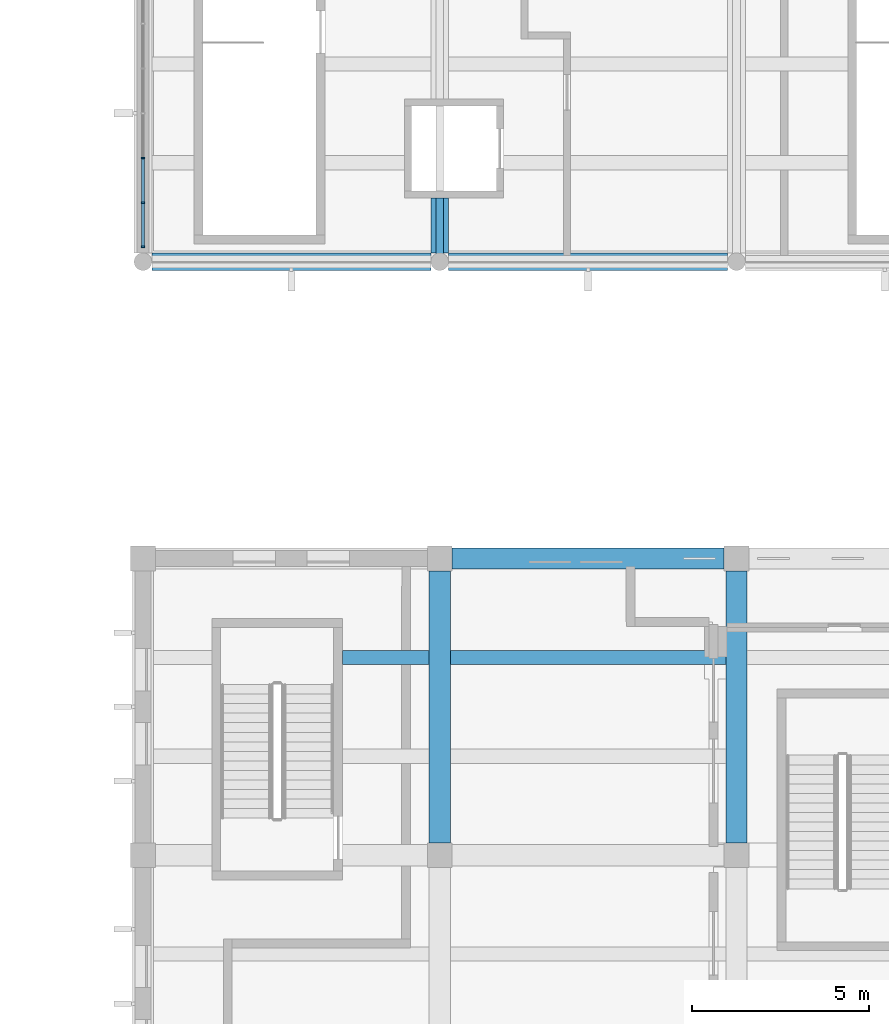
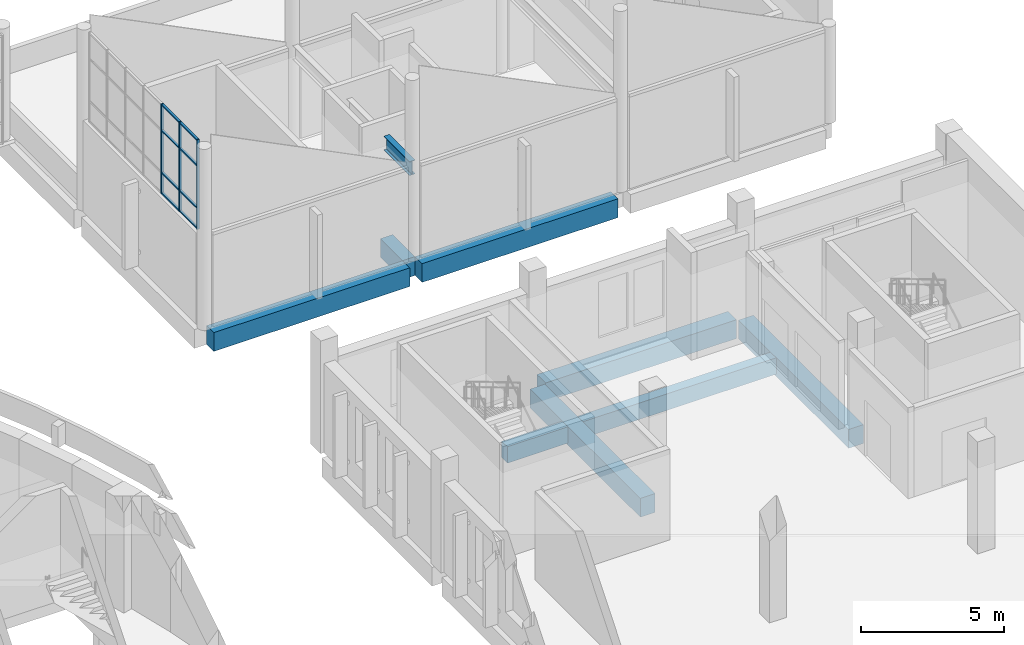
# One storey, part 32 of 119: 11 members, 9 beams, 1 element without a shape of its own.
"""IFC4 building model written with IfcOpenShell, lengths in metres."""

from ifc_helpers import new_model, si_unit, direction, frame, origin, origin_2d, place, context, subcontext, project, spatial, rectangle, i_section, extrude, material, layer, layer_set, material_profile, profile_set, type_object, element, aggregate, save


model = new_model("IFC4")

# Units and contexts
model_context = context("Model", 3, precision=1e-05, world=origin(), true_north=direction((0.0, 1.0)))
body_context = subcontext(model_context, "Body", "Model", "MODEL_VIEW")
ifc_project = project(units=[si_unit("LENGTHUNIT", "METRE"), si_unit("AREAUNIT", "SQUARE_METRE"), si_unit("VOLUMEUNIT", "CUBIC_METRE"), si_unit("PLANEANGLEUNIT", "RADIAN"), si_unit("MASSUNIT", "GRAM", prefix="KILO")], contexts=[model_context])

# Site, building, storey
site_placement = place(None, origin())
site = spatial("IfcSite", under=ifc_project, at=site_placement, CompositionType="ELEMENT")
building_placement = place(site_placement, origin())
building = spatial("IfcBuilding", under=site, at=building_placement, Name="Larchfold Concert Hall", CompositionType="ELEMENT")
storey_placement = place(building_placement, frame((0.0, 0.0, 4.800048828125)))
storey = spatial("IfcBuildingStorey", under=building, at=storey_placement, Name="L01", CompositionType="ELEMENT", Elevation=4.800048828125)

# Curtain wall, members
ifc_material_1 = material(Name="Anodised graphite aluminium curtain wall", Category="aluminium")
ifc_layer = layer(ifc_material_1, 0.10009765625)
ifc_layer_set = layer_set([ifc_layer], Name="Anodised graphite aluminium curtain wall")
curtain_wall_type = type_object("IfcCurtainWallType", Name="Curtain wall GL", PredefinedType="NOTDEFINED", material=ifc_layer_set)
curtain_wall_placement = place(storey_placement, origin())
curtain_wall = element("IfcCurtainWall", 1, at=curtain_wall_placement, inside=storey, type_object=curtain_wall_type, Name="Curtain wall CW8001", PredefinedType="NOTDEFINED")
ifc_material_2 = material(Name="Anodised graphite aluminium mullion", Category="aluminium")
ifc_material_profile_1 = material_profile(ifc_material_2, rectangle(XDim=0.10009765625, YDim=0.050048828125, at=origin_2d()))
ifc_profile_set_1 = profile_set([ifc_material_profile_1], Name="Anodised graphite aluminium mullion")
member_type_1 = type_object("IfcMemberType", Name="Aluminium mullion 50x100", PredefinedType="MULLION", material=ifc_profile_set_1)
member_1_placement = place(storey_placement, frame((76.199951171875, 110.224853515625, 3.89990234375), z_axis=(0.0, 0.0, 1.0), x_axis=(-1.0, 0.0, 0.0)))
member_1 = element("IfcMember", 2, at=member_1_placement, type_object=member_type_1, Name="CW8001 mullion 1", PredefinedType="MULLION", context=body_context, shape_type="SweptSolid", body=[
    extrude(rectangle(XDim=0.10009765625, YDim=0.050048828125, at=origin_2d()), origin(), (0.0, 0.0, 1.0), 3.823974609375),
])
member_2_placement = place(storey_placement, frame((76.199951171875, 111.466552734375, 3.89990234375), z_axis=(0.0, 0.0, 1.0), x_axis=(-1.0, 0.0, 0.0)))
member_2 = element("IfcMember", 3, at=member_2_placement, type_object=member_type_1, Name="CW8001 mullion 2", PredefinedType="MULLION", context=body_context, shape_type="SweptSolid", body=[
    extrude(rectangle(XDim=0.10009765625, YDim=0.050048828125, at=origin_2d()), origin(), (0.0, 0.0, 1.0), 3.823974609375),
])
member_3_placement = place(storey_placement, frame((76.199951171875, 112.7333984375, 3.89990234375), z_axis=(0.0, 0.0, 1.0), x_axis=(-1.0, 0.0, 0.0)))
member_3 = element("IfcMember", 4, at=member_3_placement, type_object=member_type_1, Name="CW8001 mullion 3", PredefinedType="MULLION", context=body_context, shape_type="SweptSolid", body=[
    extrude(rectangle(XDim=0.10009765625, YDim=0.050048828125, at=origin_2d()), origin(), (0.0, 0.0, 1.0), 3.823974609375),
])
ifc_material_3 = material(Name="Anodised graphite aluminium transom", Category="aluminium")
ifc_material_profile_2 = material_profile(ifc_material_3, rectangle(XDim=0.090087890625, YDim=0.06005859375, at=origin_2d()))
ifc_profile_set_2 = profile_set([ifc_material_profile_2], Name="Anodised graphite aluminium transom")
member_type_2 = type_object("IfcMemberType", Name="Aluminium transom 60x90", PredefinedType="USERDEFINED", material=ifc_profile_set_2)
member_4_placement = place(storey_placement, frame((76.199951171875, 110.25, 3.929931640625), z_axis=(0.0, 1.0, 0.0), x_axis=(-1.0, 0.0, 0.0)))
member_4 = element("IfcMember", 5, at=member_4_placement, type_object=member_type_2, Name="CW8001 transom 1.1", ObjectType="TRANSOM", PredefinedType="USERDEFINED", context=body_context, shape_type="SweptSolid", body=[
    extrude(rectangle(XDim=0.090087890625, YDim=0.06005859375, at=origin_2d()), origin(), (0.0, 0.0, 1.0), 1.191650390625),
])
member_5_placement = place(storey_placement, frame((76.199951171875, 110.25, 4.800048828125), z_axis=(0.0, 1.0, 0.0), x_axis=(-1.0, 0.0, 0.0)))
member_5 = element("IfcMember", 6, at=member_5_placement, type_object=member_type_2, Name="CW8001 transom 1.2", ObjectType="TRANSOM", PredefinedType="USERDEFINED", context=body_context, shape_type="SweptSolid", body=[
    extrude(rectangle(XDim=0.090087890625, YDim=0.06005859375, at=origin_2d()), origin(), (0.0, 0.0, 1.0), 1.191650390625),
])
member_6_placement = place(storey_placement, frame((76.199951171875, 110.25, 6.599853515625), z_axis=(0.0, 1.0, 0.0), x_axis=(-1.0, 0.0, 0.0)))
member_6 = element("IfcMember", 7, at=member_6_placement, type_object=member_type_2, Name="CW8001 transom 1.3", ObjectType="TRANSOM", PredefinedType="USERDEFINED", context=body_context, shape_type="SweptSolid", body=[
    extrude(rectangle(XDim=0.090087890625, YDim=0.06005859375, at=origin_2d()), origin(), (0.0, 0.0, 1.0), 1.191650390625),
])
member_7_placement = place(storey_placement, frame((76.199951171875, 110.25, 7.69384765625), z_axis=(0.0, 1.0, 0.0), x_axis=(-1.0, 0.0, 0.0)))
member_7 = element("IfcMember", 8, at=member_7_placement, type_object=member_type_2, Name="CW8001 transom 1.4", ObjectType="TRANSOM", PredefinedType="USERDEFINED", context=body_context, shape_type="SweptSolid", body=[
    extrude(rectangle(XDim=0.090087890625, YDim=0.06005859375, at=origin_2d()), origin(), (0.0, 0.0, 1.0), 1.191650390625),
])
member_8_placement = place(storey_placement, frame((76.199951171875, 111.49169921875, 3.929931640625), z_axis=(0.0, 1.0, 0.0), x_axis=(-1.0, 0.0, 0.0)))
member_8 = element("IfcMember", 9, at=member_8_placement, type_object=member_type_2, Name="CW8001 transom 2.1", ObjectType="TRANSOM", PredefinedType="USERDEFINED", context=body_context, shape_type="SweptSolid", body=[
    extrude(rectangle(XDim=0.090087890625, YDim=0.06005859375, at=origin_2d()), origin(), (0.0, 0.0, 1.0), 1.216552734375),
])
member_9_placement = place(storey_placement, frame((76.199951171875, 111.49169921875, 4.800048828125), z_axis=(0.0, 1.0, 0.0), x_axis=(-1.0, 0.0, 0.0)))
member_9 = element("IfcMember", 10, at=member_9_placement, type_object=member_type_2, Name="CW8001 transom 2.2", ObjectType="TRANSOM", PredefinedType="USERDEFINED", context=body_context, shape_type="SweptSolid", body=[
    extrude(rectangle(XDim=0.090087890625, YDim=0.06005859375, at=origin_2d()), origin(), (0.0, 0.0, 1.0), 1.216552734375),
])
member_10_placement = place(storey_placement, frame((76.199951171875, 111.49169921875, 6.599853515625), z_axis=(0.0, 1.0, 0.0), x_axis=(-1.0, 0.0, 0.0)))
member_10 = element("IfcMember", 11, at=member_10_placement, type_object=member_type_2, Name="CW8001 transom 2.3", ObjectType="TRANSOM", PredefinedType="USERDEFINED", context=body_context, shape_type="SweptSolid", body=[
    extrude(rectangle(XDim=0.090087890625, YDim=0.06005859375, at=origin_2d()), origin(), (0.0, 0.0, 1.0), 1.216552734375),
])
member_11_placement = place(storey_placement, frame((76.199951171875, 111.49169921875, 7.69384765625), z_axis=(0.0, 1.0, 0.0), x_axis=(-1.0, 0.0, 0.0)))
member_11 = element("IfcMember", 12, at=member_11_placement, type_object=member_type_2, Name="CW8001 transom 2.4", ObjectType="TRANSOM", PredefinedType="USERDEFINED", context=body_context, shape_type="SweptSolid", body=[
    extrude(rectangle(XDim=0.090087890625, YDim=0.06005859375, at=origin_2d()), origin(), (0.0, 0.0, 1.0), 1.216552734375),
])
aggregate(curtain_wall, [member_1, member_2, member_3, member_4, member_5, member_6, member_7, member_8, member_9, member_10, member_11])

# Beams
ifc_material_4 = material(Name="Concrete C35/45", Category="concrete")
ifc_material_profile_3 = material_profile(ifc_material_4, rectangle(XDim=0.39990234375, YDim=0.699951171875, at=origin_2d()))
ifc_profile_set_3 = profile_set([ifc_material_profile_3], Name="Concrete C35/45")
beam_type_1 = type_object("IfcBeamType", Name="Beam RC 400x700", PredefinedType="BEAM", material=ifc_profile_set_3)
beam_1_placement = place(storey_placement, frame((81.85009765625, 98.60009765625, -0.550048828125), z_axis=(1.0, 0.0, 0.0), x_axis=(0.0, 1.0, 0.0)))
element("IfcBeam", 13, at=beam_1_placement, inside=storey, type_object=beam_type_1, Name="Beam B0959", PredefinedType="BEAM", context=body_context, shape_type="SweptSolid", body=[
    extrude(rectangle(XDim=0.39990234375, YDim=0.699951171875, at=origin_2d()), origin(), (0.0, 0.0, 1.0), 2.449951171875),
])
beam_2_placement = place(storey_placement, frame((84.89990234375, 98.60009765625, -0.550048828125), z_axis=(1.0, 0.0, 0.0), x_axis=(0.0, 1.0, 0.0)))
element("IfcBeam", 14, at=beam_2_placement, inside=storey, type_object=beam_type_1, Name="Beam B0960", PredefinedType="BEAM", context=body_context, shape_type="SweptSolid", body=[
    extrude(rectangle(XDim=0.39990234375, YDim=0.699951171875, at=origin_2d()), origin(), (0.0, 0.0, 1.0), 7.800048828125),
])
ifc_material_5 = material(Name="Concrete C35/45", Category="concrete")
ifc_material_profile_4 = material_profile(ifc_material_5, rectangle(XDim=0.5, YDim=0.800048828125, at=origin_2d()))
ifc_profile_set_4 = profile_set([ifc_material_profile_4], Name="Concrete C35/45")
beam_type_2 = type_object("IfcBeamType", Name="Beam RC 500x800", PredefinedType="BEAM", material=ifc_profile_set_4)
beam_3_placement = place(storey_placement, frame((84.60009765625, 110.048828125, -0.60009765625), z_axis=(0.0, 1.0, 0.0), x_axis=(-1.0, 0.0, 0.0)))
element("IfcBeam", 15, at=beam_3_placement, inside=storey, type_object=beam_type_2, Name="Beam B1074", PredefinedType="BEAM", context=body_context, shape_type="SweptSolid", body=[
    extrude(rectangle(XDim=0.5, YDim=0.800048828125, at=origin_2d()), origin(), (0.0, 0.0, 1.0), 1.55126953125),
])
for number, where, z_axis, x_axis, name in (
    (16, (76.448974609375, 109.800048828125, -0.60009765625), (1.0, 0.0, 0.0), (0.0, 1.0, 0.0), "Beam B1081"),
    (17, (84.848876953125, 109.800048828125, -0.60009765625), (1.0, 0.0, 0.0), (0.0, 1.0, 0.0), "Beam B1082"),
):
    element("IfcBeam", number, at=place(storey_placement, frame(where, z_axis=z_axis, x_axis=x_axis)), inside=storey, type_object=beam_type_2, Name=name, PredefinedType="BEAM", context=body_context, shape_type="SweptSolid", body=[
        extrude(rectangle(XDim=0.5, YDim=0.800048828125, at=origin_2d()), origin(), (0.0, 0.0, 1.0), 7.902099609375),
    ])
ifc_material_6 = material(Name="Concrete C35/45", Category="concrete")
ifc_material_profile_5 = material_profile(ifc_material_6, rectangle(XDim=0.60009765625, YDim=0.800048828125, at=origin_2d()))
ifc_profile_set_5 = profile_set([ifc_material_profile_5], Name="Concrete C35/45")
beam_type_3 = type_object("IfcBeamType", Name="Beam RC 600x800", PredefinedType="BEAM", material=ifc_profile_set_5)
for number, where, z_axis, x_axis, name in (
    (18, (84.60009765625, 93.35009765625, -0.60009765625), (0.0, 1.0, 0.0), (-1.0, 0.0, 0.0), "Beam B0910"),
    (19, (93.0, 93.35009765625, -0.60009765625), (0.0, 1.0, 0.0), (-1.0, 0.0, 0.0), "Beam B0913"),
    (20, (84.949951171875, 101.39990234375, -0.60009765625), (1.0, 0.0, 0.0), (0.0, 1.0, 0.0), "Beam B0932"),
):
    element("IfcBeam", number, at=place(storey_placement, frame(where, z_axis=z_axis, x_axis=x_axis)), inside=storey, type_object=beam_type_3, Name=name, PredefinedType="BEAM", context=body_context, shape_type="SweptSolid", body=[
        extrude(rectangle(XDim=0.60009765625, YDim=0.800048828125, at=origin_2d()), origin(), (0.0, 0.0, 1.0), 7.699951171875),
    ])
ifc_material_7 = material(Name="Steel S355", Category="steel")
ifc_material_profile_6 = material_profile(ifc_material_7, i_section(OverallWidth=0.219970703125, OverallDepth=0.60009765625, WebThickness=0.011962890625, FlangeThickness=0.01904296875, FilletRadius=0.02392578125, at=origin_2d()))
ifc_profile_set_6 = profile_set([ifc_material_profile_6], Name="Steel S355")
beam_type_4 = type_object("IfcBeamType", Name="Steel beam IPE 600", PredefinedType="BEAM", material=ifc_profile_set_6)
beam_4_placement = place(storey_placement, frame((84.60009765625, 109.800048828125, 3.823974609375), z_axis=(0.0, 1.0, 0.0), x_axis=(-1.0, 0.0, 0.0)))
element("IfcBeam", 21, at=beam_4_placement, inside=storey, type_object=beam_type_4, Name="Beam B2093", PredefinedType="BEAM", context=body_context, shape_type="SweptSolid", body=[
    extrude(i_section(OverallWidth=0.219970703125, OverallDepth=0.60009765625, WebThickness=0.011962890625, FlangeThickness=0.01904296875, FilletRadius=0.02392578125, at=origin_2d()), origin(), (0.0, 0.0, 1.0), 1.800048828125),
])

save(model, "model.ifc")
